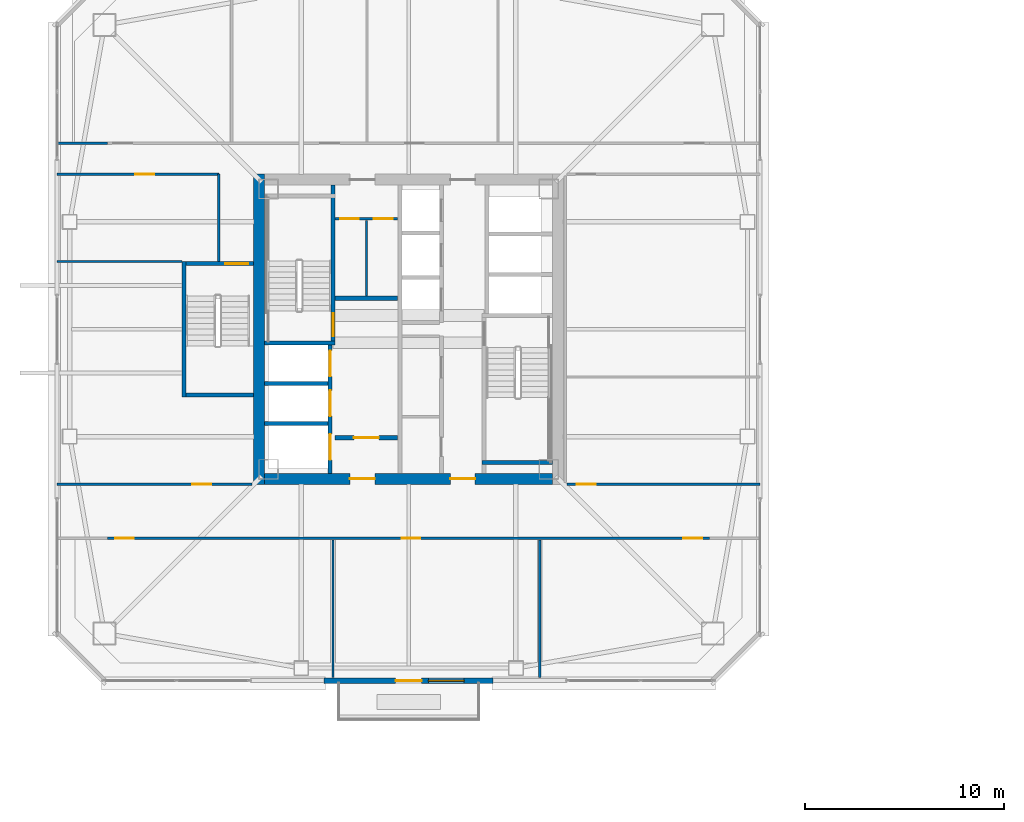
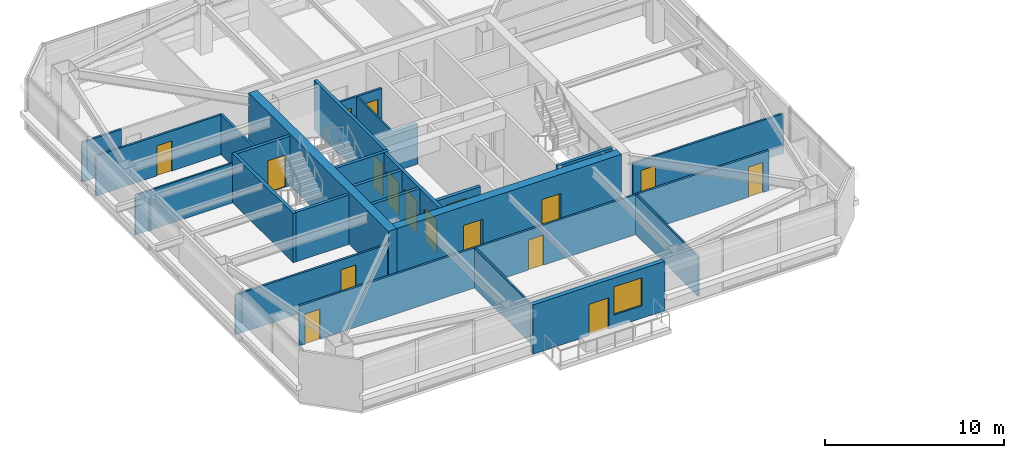
# One storey, part 34 of 44: 25 walls, 17 doors, 1 window, 18 openings.
"""IFC4 building model written with IfcOpenShell, lengths in metres."""

from ifc_helpers import new_model, si_unit, direction, frame, frame_2d, origin, place, context, subcontext, project, spatial, rectangle, extrude, material, layer, layer_set, type_object, element, fill, save


model = new_model("IFC4")

# Units and contexts
model_context = context("Model", 3, precision=1e-05, world=origin(), true_north=direction((0.0, 1.0)))
body_context = subcontext(model_context, "Body", "Model", "MODEL_VIEW")
ifc_project = project(units=[si_unit("LENGTHUNIT", "METRE"), si_unit("AREAUNIT", "SQUARE_METRE"), si_unit("VOLUMEUNIT", "CUBIC_METRE"), si_unit("PLANEANGLEUNIT", "RADIAN"), si_unit("MASSUNIT", "GRAM", prefix="KILO")], contexts=[model_context])

# Site, building, storey
site_placement = place(None, origin())
site = spatial("IfcSite", under=ifc_project, at=site_placement, CompositionType="ELEMENT")
building_placement = place(site_placement, origin())
building = spatial("IfcBuilding", under=site, at=building_placement, Name="Tashvorn Skyway Center", CompositionType="ELEMENT")
storey_placement = place(building_placement, frame((0.0, 0.0, 181.85009765625)))
storey = spatial("IfcBuildingStorey", under=building, at=storey_placement, Name="L49", CompositionType="ELEMENT", Elevation=181.85009765625)

# Wall
ifc_material_1 = material(Name="Concrete C60/75", Category="concrete")
ifc_layer_1 = layer(ifc_material_1, 0.550048828125)
ifc_layer_set_1 = layer_set([ifc_layer_1], Name="Concrete C60/75")
wall_type_1 = type_object("IfcWallType", Name="WALL-CORE-550", PredefinedType="SHEAR", material=ifc_layer_set_1)
wall_1_placement = place(storey_placement, frame((34.47509765625, 24.199951171875, 0.0), z_axis=(0.0, 0.0, 1.0), x_axis=(0.0, 1.0, 0.0)))
element("IfcWall", 1, at=wall_1_placement, inside=storey, type_object=wall_type_1, Name="Tower 1 L49 West Core Shear Wall", PredefinedType="SHEAR", context=body_context, shape_type="SweptSolid", body=[
    extrude(rectangle(XDim=15.60009765625, YDim=0.550048828125, at=frame_2d((7.800048828125, 0.0))), origin(), (0.0, 0.0, 1.0), 3.5498046875),
])

# Wall, openings, doors
wall_2_placement = place(storey_placement, frame((49.25, 24.47509765625, 0.0), z_axis=(0.0, 0.0, 1.0), x_axis=(-1.0, 0.0, 0.0)))
wall_2 = element("IfcWall", 2, at=wall_2_placement, inside=storey, type_object=wall_type_1, Name="Tower 1 L49 South Core Shear Wall", PredefinedType="SHEAR", context=body_context, shape_type="SweptSolid", body=[
    extrude(rectangle(XDim=14.5, YDim=0.550048828125, at=frame_2d((7.25, 0.0))), origin(), (0.0, 0.0, 1.0), 3.5498046875),
])
opening_1_placement = place(wall_2_placement, frame((8.949951171875, 0.0, 0.0)))
opening_1 = element("IfcOpeningElement", 3, at=opening_1_placement, cuts=wall_2, Name="Opening D-FFL-1250", PredefinedType="OPENING", context=body_context, shape_type="SweptSolid", body=[
    extrude(rectangle(XDim=1.25, YDim=2.25, at=frame_2d((0.625, 1.125))), frame((0.0, 0.284912109375, 0.0), z_axis=(0.0, -1.0, 0.0), x_axis=(1.0, 0.0, 0.0)), (0.0, 0.0, 1.0), 0.570068359375),
])
opening_2_placement = place(wall_2_placement, frame((3.89990234375, 0.0, 0.0)))
opening_2 = element("IfcOpeningElement", 4, at=opening_2_placement, cuts=wall_2, Name="Opening D-FFL-1250", PredefinedType="OPENING", context=body_context, shape_type="SweptSolid", body=[
    extrude(rectangle(XDim=1.25, YDim=2.25, at=frame_2d((0.625, 1.125))), frame((0.0, 0.284912109375, 0.0), z_axis=(0.0, -1.0, 0.0), x_axis=(1.0, 0.0, 0.0)), (0.0, 0.0, 1.0), 0.570068359375),
])
ifc_material_2 = material(Name="Hollow galvanized steel fire door assembly", Category="steel")
door_type_1 = type_object("IfcDoorType", Name="DOOR-FFL-1250", OperationType="NOTDEFINED", PredefinedType="DOOR", material=ifc_material_2)
door_1_placement = place(opening_1_placement, origin())
door_1 = element("IfcDoor", 5, at=door_1_placement, inside=storey, type_object=door_type_1, Name="Tower 1 L49 Core South Firefighting Exit Door", OperationType="SINGLE_SWING_LEFT", OverallHeight=2.25, OverallWidth=1.25, PredefinedType="DOOR", context=body_context, shape_type="SweptSolid", body=[
    extrude(rectangle(XDim=1.25, YDim=2.25, at=frame_2d((0.625, 1.125))), frame((0.0, 0.02490234375, 0.0), z_axis=(0.0, -1.0, 0.0), x_axis=(1.0, 0.0, 0.0)), (0.0, 0.0, 1.0), 0.050048828125),
])
fill(opening_1, door_1)
door_2_placement = place(opening_2_placement, origin())
door_2 = element("IfcDoor", 6, at=door_2_placement, inside=storey, type_object=door_type_1, Name="Tower 1 L49 Core South Lift Lobby Door", OperationType="SINGLE_SWING_RIGHT", OverallHeight=2.25, OverallWidth=1.25, PredefinedType="DOOR", context=body_context, shape_type="SweptSolid", body=[
    extrude(rectangle(XDim=1.25, YDim=2.25, at=frame_2d((0.625, 1.125))), frame((0.0, 0.02490234375, 0.0), z_axis=(0.0, -1.0, 0.0), x_axis=(1.0, 0.0, 0.0)), (0.0, 0.0, 1.0), 0.050048828125),
])
fill(opening_2, door_2)

# Wall, openings, door, window
ifc_material_3 = material(Name="Precast concrete C40/50", Category="concrete")
ifc_layer_2 = layer(ifc_material_3, 0.280029296875)
ifc_layer_set_2 = layer_set([ifc_layer_2], Name="Precast concrete C40/50")
wall_type_2 = type_object("IfcWallType", Name="WALL-EXT-280", PredefinedType="SOLIDWALL", material=ifc_layer_set_2)
wall_3_placement = place(storey_placement, frame((46.25, 14.320068359375, 0.0), z_axis=(0.0, 0.0, 1.0), x_axis=(-1.0, 0.0, 0.0)))
wall_3 = element("IfcWall", 7, at=wall_3_placement, inside=storey, type_object=wall_type_2, Name="Tower 1 L49 South Terrace Portal Wall", PredefinedType="SOLIDWALL", context=body_context, shape_type="SweptSolid", body=[
    extrude(rectangle(XDim=8.5, YDim=0.280029296875, at=frame_2d((4.25, 0.0))), origin(), (0.0, 0.0, 1.0), 3.369873046875),
])
opening_3_placement = place(wall_3_placement, frame((3.60009765625, 0.0, 0.0)))
opening_3 = element("IfcOpeningElement", 8, at=opening_3_placement, cuts=wall_3, Name="Opening D-TER-1300", PredefinedType="OPENING", context=body_context, shape_type="SweptSolid", body=[
    extrude(rectangle(XDim=1.300048828125, YDim=2.14990234375, at=frame_2d((0.64990234375, 1.074951171875))), frame((0.0, 0.14990234375, 0.0), z_axis=(0.0, -1.0, 0.0), x_axis=(1.0, 0.0, 0.0)), (0.0, 0.0, 1.0), 0.300048828125),
])
opening_4_placement = place(wall_3_placement, frame((1.4599609375, 0.0, 0.85009765625)))
opening_4 = element("IfcOpeningElement", 9, at=opening_4_placement, cuts=wall_3, Name="Opening WIN-1800", PredefinedType="OPENING", context=body_context, shape_type="SweptSolid", body=[
    extrude(rectangle(XDim=1.800048828125, YDim=1.919921875, at=frame_2d((0.89990234375, 0.9599609375))), frame((0.0, 0.14990234375, 0.0), z_axis=(0.0, -1.0, 0.0), x_axis=(1.0, 0.0, 0.0)), (0.0, 0.0, 1.0), 0.300048828125),
])
ifc_material_4 = material(Name="Thermally broken bronze-anodized aluminium 6063-T6", Category="aluminium")
door_type_2 = type_object("IfcDoorType", Name="DOOR-TERR-1300", OperationType="NOTDEFINED", PredefinedType="DOOR", material=ifc_material_4)
door_3_placement = place(opening_3_placement, origin())
door_3 = element("IfcDoor", 10, at=door_3_placement, inside=storey, type_object=door_type_2, Name="Tower 1 L49 Terrace Access Door", OperationType="SINGLE_SWING_LEFT", OverallHeight=2.14990234375, OverallWidth=1.300048828125, PredefinedType="DOOR", context=body_context, shape_type="SweptSolid", body=[
    extrude(rectangle(XDim=1.300048828125, YDim=2.14990234375, at=frame_2d((0.64990234375, 1.074951171875))), frame((0.0, 0.02490234375, 0.0), z_axis=(0.0, -1.0, 0.0), x_axis=(1.0, 0.0, 0.0)), (0.0, 0.0, 1.0), 0.050048828125),
])
fill(opening_3, door_3)
ifc_material_5 = material(Name="Low-E solar-control double insulating safety glass", Category="glass")
window_type = type_object("IfcWindowType", Name="WIN-TERR-1800", PartitioningType="SINGLE_PANEL", PredefinedType="WINDOW", material=ifc_material_5)
window_placement = place(opening_4_placement, origin())
window = element("IfcWindow", 11, at=window_placement, inside=storey, type_object=window_type, Name="Tower 1 L49 Terrace Window", OverallHeight=1.919921875, OverallWidth=1.800048828125, PartitioningType="SINGLE_PANEL", PredefinedType="WINDOW", context=body_context, shape_type="SweptSolid", body=[
    extrude(rectangle(XDim=1.800048828125, YDim=1.919921875, at=frame_2d((0.89990234375, 0.9599609375))), frame((0.0, 0.030029296875, 0.0), z_axis=(0.0, -1.0, 0.0), x_axis=(1.0, 0.0, 0.0)), (0.0, 0.0, 1.0), 0.06005859375),
])
fill(opening_4, window)

# Wall
ifc_material_6 = material(Name="Concrete C40/50", Category="concrete")
ifc_layer_3 = layer(ifc_material_6, 0.219970703125)
ifc_layer_set_3 = layer_set([ifc_layer_3], Name="Concrete C40/50")
wall_type_3 = type_object("IfcWallType", Name="WALL-FFL-220", PredefinedType="SOLIDWALL", material=ifc_layer_set_3)
wall_4_placement = place(storey_placement, frame((38.300048828125, 33.56005859375, 0.0), z_axis=(0.0, 0.0, 1.0), x_axis=(1.0, 0.0, 0.0)))
element("IfcWall", 12, at=wall_4_placement, inside=storey, type_object=wall_type_3, Name="Tower 1 L49 Firefighting Lobby North Wall", PredefinedType="SOLIDWALL", context=body_context, shape_type="SweptSolid", body=[
    extrude(rectangle(XDim=3.14990234375, YDim=0.219970703125, at=frame_2d((1.574951171875, 0.0))), origin(), (0.0, 0.0, 1.0), 2.722900390625),
])

# Wall, opening, door
wall_5_placement = place(storey_placement, frame((38.300048828125, 26.5400390625, 0.0), z_axis=(0.0, 0.0, 1.0), x_axis=(1.0, 0.0, 0.0)))
wall_5 = element("IfcWall", 13, at=wall_5_placement, inside=storey, type_object=wall_type_3, Name="Tower 1 L49 Firefighting Lobby South Wall", PredefinedType="SOLIDWALL", context=body_context, shape_type="SweptSolid", body=[
    extrude(rectangle(XDim=3.14990234375, YDim=0.219970703125, at=frame_2d((1.574951171875, 0.0))), origin(), (0.0, 0.0, 1.0), 2.722900390625),
])
opening_5_placement = place(wall_5_placement, frame((0.949951171875, 0.0, 0.0)))
opening_5 = element("IfcOpeningElement", 14, at=opening_5_placement, cuts=wall_5, Name="Opening D-FFL-1250", PredefinedType="OPENING", context=body_context, shape_type="SweptSolid", body=[
    extrude(rectangle(XDim=1.25, YDim=2.25, at=frame_2d((0.625, 1.125))), frame((0.0, 0.119873046875, 0.0), z_axis=(0.0, -1.0, 0.0), x_axis=(1.0, 0.0, 0.0)), (0.0, 0.0, 1.0), 0.239990234375),
])
door_4_placement = place(opening_5_placement, origin())
door_4 = element("IfcDoor", 15, at=door_4_placement, inside=storey, type_object=door_type_1, Name="Tower 1 L49 Firefighting Lobby Egress Door", OperationType="SINGLE_SWING_LEFT", OverallHeight=2.25, OverallWidth=1.25, PredefinedType="DOOR", context=body_context, shape_type="SweptSolid", body=[
    extrude(rectangle(XDim=1.25, YDim=2.25, at=frame_2d((0.625, 1.125))), frame((0.0, 0.02490234375, 0.0), z_axis=(0.0, -1.0, 0.0), x_axis=(1.0, 0.0, 0.0)), (0.0, 0.0, 1.0), 0.050048828125),
])
fill(opening_5, door_4)

# Walls
ifc_material_7 = material(Name="Gypsum board on cold-formed steel stud framing", Category="steel")
ifc_layer_4 = layer(ifc_material_7, 0.110107421875)
ifc_layer_set_4 = layer_set([ifc_layer_4], Name="Gypsum board on cold-formed steel stud framing")
wall_type_4 = type_object("IfcWallType", Name="WALL-PART-110", PredefinedType="PARTITIONING", material=ifc_layer_set_4)
for number, where, z_axis, x_axis, name in (
    (16, (38.199951171875, 14.469970703125, 0.0), (0.0, 0.0, 1.0), (0.0, 1.0, 0.0), "Tower 1 L49 South Suite Partition 1"),
    (17, (48.60009765625, 14.469970703125, 0.0), (0.0, 0.0, 1.0), (0.0, 1.0, 0.0), "Tower 1 L49 South Suite Partition 2"),
):
    element("IfcWall", number, at=place(storey_placement, frame(where, z_axis=z_axis, x_axis=x_axis)), inside=storey, type_object=wall_type_4, Name=name, PredefinedType="PARTITIONING", context=body_context, shape_type="SweptSolid", body=[
        extrude(rectangle(XDim=6.929931640625, YDim=0.110107421875, at=frame_2d((3.46484375, 0.0))), origin(), (0.0, 0.0, 1.0), 2.722900390625),
    ])
wall_6_placement = place(storey_placement, frame((30.60009765625, 35.39990234375, 0.0), z_axis=(0.0, 0.0, 1.0), x_axis=(-1.0, 0.0, 0.0)))
element("IfcWall", 18, at=wall_6_placement, inside=storey, type_object=wall_type_4, Name="Tower 1 L49 West Suite Partition 1", PredefinedType="PARTITIONING", context=body_context, shape_type="SweptSolid", body=[
    extrude(rectangle(XDim=6.280029296875, YDim=0.110107421875, at=frame_2d((3.14013671875, 0.0))), origin(), (0.0, 0.0, 1.0), 2.722900390625),
])
ifc_layer_5 = layer(ifc_material_7, 0.135009765625)
ifc_layer_set_5 = layer_set([ifc_layer_5], Name="Gypsum board on cold-formed steel stud framing")
wall_type_5 = type_object("IfcWallType", Name="WALL-PART-135", PredefinedType="PARTITIONING", material=ifc_layer_set_5)
wall_7_placement = place(storey_placement, frame((32.449951171875, 35.39990234375, 0.0), z_axis=(0.0, 0.0, 1.0), x_axis=(0.0, 1.0, 0.0)))
element("IfcWall", 19, at=wall_7_placement, inside=storey, type_object=wall_type_5, Name="Tower 1 L49 Stair 3 Access Corridor Wall", PredefinedType="PARTITIONING", context=body_context, shape_type="SweptSolid", body=[
    extrude(rectangle(XDim=4.400146484375, YDim=0.135009765625, at=frame_2d((2.2001953125, 0.0))), origin(), (0.0, 0.0, 1.0), 2.722900390625),
])
wall_8_placement = place(storey_placement, frame((24.320068359375, 41.35009765625, 0.0), z_axis=(0.0, 0.0, 1.0), x_axis=(1.0, 0.0, 0.0)))
element("IfcWall", 20, at=wall_8_placement, inside=storey, type_object=wall_type_5, Name="Tower 1 L49 North-West Suite South Wall", PredefinedType="PARTITIONING", context=body_context, shape_type="SweptSolid", body=[
    extrude(rectangle(XDim=2.530029296875, YDim=0.135009765625, at=frame_2d((1.26513671875, 0.0))), origin(), (0.0, 0.0, 1.0), 2.722900390625),
])

# Wall, openings, doors
wall_9_placement = place(storey_placement, frame((57.14990234375, 21.47998046875, 0.0), z_axis=(0.0, 0.0, 1.0), x_axis=(-1.0, 0.0, 0.0)))
wall_9 = element("IfcWall", 21, at=wall_9_placement, inside=storey, type_object=wall_type_5, Name="Tower 1 L49 South Suite Wall", PredefinedType="PARTITIONING", context=body_context, shape_type="SweptSolid", body=[
    extrude(rectangle(XDim=30.2998046875, YDim=0.135009765625, at=frame_2d((15.14990234375, 0.0))), origin(), (0.0, 0.0, 1.0), 2.722900390625),
])
opening_6_placement = place(wall_9_placement, frame((28.969970703125, 0.0, 0.0)))
opening_6 = element("IfcOpeningElement", 22, at=opening_6_placement, cuts=wall_9, Name="Opening D-INT-950", PredefinedType="OPENING", context=body_context, shape_type="SweptSolid", body=[
    extrude(rectangle(XDim=0.949951171875, YDim=2.050048828125, at=frame_2d((0.47509765625, 1.02490234375))), frame((0.0, 0.077392578125, 0.0), z_axis=(0.0, -1.0, 0.0), x_axis=(1.0, 0.0, 0.0)), (0.0, 0.0, 1.0), 0.155029296875),
])
opening_7_placement = place(wall_9_placement, frame((14.552978515625, 0.0, 0.0)))
opening_7 = element("IfcOpeningElement", 23, at=opening_7_placement, cuts=wall_9, Name="Opening D-INT-950", PredefinedType="OPENING", context=body_context, shape_type="SweptSolid", body=[
    extrude(rectangle(XDim=0.949951171875, YDim=2.050048828125, at=frame_2d((0.47509765625, 1.02490234375))), frame((0.0, 0.077392578125, 0.0), z_axis=(0.0, -1.0, 0.0), x_axis=(1.0, 0.0, 0.0)), (0.0, 0.0, 1.0), 0.155029296875),
])
opening_8_placement = place(wall_9_placement, frame((0.3798828125, 0.0, 0.0)))
opening_8 = element("IfcOpeningElement", 24, at=opening_8_placement, cuts=wall_9, Name="Opening D-INT-950", PredefinedType="OPENING", context=body_context, shape_type="SweptSolid", body=[
    extrude(rectangle(XDim=0.949951171875, YDim=2.050048828125, at=frame_2d((0.47509765625, 1.02490234375))), frame((0.0, 0.077392578125, 0.0), z_axis=(0.0, -1.0, 0.0), x_axis=(1.0, 0.0, 0.0)), (0.0, 0.0, 1.0), 0.155029296875),
])
ifc_material_8 = material(Name="Solid-core architectural oak veneer door")
door_type_3 = type_object("IfcDoorType", Name="DOOR-INT-950", OperationType="NOTDEFINED", PredefinedType="DOOR", material=ifc_material_8)
door_5_placement = place(opening_6_placement, origin())
door_5 = element("IfcDoor", 25, at=door_5_placement, inside=storey, type_object=door_type_3, Name="Tower 1 L49 Conference Room Door", OperationType="SINGLE_SWING_RIGHT", OverallHeight=2.050048828125, OverallWidth=0.949951171875, PredefinedType="DOOR", context=body_context, shape_type="SweptSolid", body=[
    extrude(rectangle(XDim=0.949951171875, YDim=2.050048828125, at=frame_2d((0.47509765625, 1.02490234375))), frame((0.0, 0.02490234375, 0.0), z_axis=(0.0, -1.0, 0.0), x_axis=(1.0, 0.0, 0.0)), (0.0, 0.0, 1.0), 0.050048828125),
])
fill(opening_6, door_5)
door_6_placement = place(opening_7_placement, origin())
door_6 = element("IfcDoor", 26, at=door_6_placement, inside=storey, type_object=door_type_3, Name="Tower 1 L49 Design Studio Door", OperationType="SINGLE_SWING_LEFT", OverallHeight=2.050048828125, OverallWidth=0.949951171875, PredefinedType="DOOR", context=body_context, shape_type="SweptSolid", body=[
    extrude(rectangle(XDim=0.949951171875, YDim=2.050048828125, at=frame_2d((0.47509765625, 1.02490234375))), frame((0.0, 0.02490234375, 0.0), z_axis=(0.0, -1.0, 0.0), x_axis=(1.0, 0.0, 0.0)), (0.0, 0.0, 1.0), 0.050048828125),
])
fill(opening_7, door_6)
door_7_placement = place(opening_8_placement, origin())
door_7 = element("IfcDoor", 27, at=door_7_placement, inside=storey, type_object=door_type_3, Name="Tower 1 L49 Design Studio Door", OperationType="SINGLE_SWING_RIGHT", OverallHeight=2.050048828125, OverallWidth=0.949951171875, PredefinedType="DOOR", context=body_context, shape_type="SweptSolid", body=[
    extrude(rectangle(XDim=0.949951171875, YDim=2.050048828125, at=frame_2d((0.47509765625, 1.02490234375))), frame((0.0, 0.02490234375, 0.0), z_axis=(0.0, -1.0, 0.0), x_axis=(1.0, 0.0, 0.0)), (0.0, 0.0, 1.0), 0.050048828125),
])
fill(opening_8, door_7)

# Wall, opening, door
wall_10_placement = place(storey_placement, frame((49.9599609375, 24.199951171875, 0.0), z_axis=(0.0, 0.0, 1.0), x_axis=(1.0, 0.0, 0.0)))
wall_10 = element("IfcWall", 28, at=wall_10_placement, inside=storey, type_object=wall_type_5, Name="Tower 1 L49 East Suite South Wall", PredefinedType="PARTITIONING", context=body_context, shape_type="SweptSolid", body=[
    extrude(rectangle(XDim=9.719970703125, YDim=0.135009765625, at=frame_2d((4.85986328125, 0.0))), origin(), (0.0, 0.0, 1.0), 2.722900390625),
])
opening_9_placement = place(wall_10_placement, frame((0.5, 0.0, 0.0)))
opening_9 = element("IfcOpeningElement", 29, at=opening_9_placement, cuts=wall_10, Name="Opening D-INT-950", PredefinedType="OPENING", context=body_context, shape_type="SweptSolid", body=[
    extrude(rectangle(XDim=0.949951171875, YDim=2.050048828125, at=frame_2d((0.47509765625, 1.02490234375))), frame((0.0, 0.077392578125, 0.0), z_axis=(0.0, -1.0, 0.0), x_axis=(1.0, 0.0, 0.0)), (0.0, 0.0, 1.0), 0.155029296875),
])
door_8_placement = place(opening_9_placement, origin())
door_8 = element("IfcDoor", 30, at=door_8_placement, inside=storey, type_object=door_type_3, Name="Tower 1 L49 Public Restroom Door", OperationType="SINGLE_SWING_RIGHT", OverallHeight=2.050048828125, OverallWidth=0.949951171875, PredefinedType="DOOR", context=body_context, shape_type="SweptSolid", body=[
    extrude(rectangle(XDim=0.949951171875, YDim=2.050048828125, at=frame_2d((0.47509765625, 1.02490234375))), frame((0.0, 0.02490234375, 0.0), z_axis=(0.0, -1.0, 0.0), x_axis=(1.0, 0.0, 0.0)), (0.0, 0.0, 1.0), 0.050048828125),
])
fill(opening_9, door_8)

wall_11_placement = place(storey_placement, frame((32.449951171875, 39.800048828125, 0.0), z_axis=(0.0, 0.0, 1.0), x_axis=(-1.0, 0.0, 0.0)))
wall_11 = element("IfcWall", 31, at=wall_11_placement, inside=storey, type_object=wall_type_5, Name="Tower 1 L49 West Suite North Wall", PredefinedType="PARTITIONING", context=body_context, shape_type="SweptSolid", body=[
    extrude(rectangle(XDim=8.1298828125, YDim=0.135009765625, at=frame_2d((4.06494140625, 0.0))), origin(), (0.0, 0.0, 1.0), 2.722900390625),
])
opening_10_placement = place(wall_11_placement, frame((3.239990234375, 0.0, 0.0)))
opening_10 = element("IfcOpeningElement", 32, at=opening_10_placement, cuts=wall_11, Name="Opening D-INT-950", PredefinedType="OPENING", context=body_context, shape_type="SweptSolid", body=[
    extrude(rectangle(XDim=0.949951171875, YDim=2.050048828125, at=frame_2d((0.47509765625, 1.02490234375))), frame((0.0, 0.077392578125, 0.0), z_axis=(0.0, -1.0, 0.0), x_axis=(1.0, 0.0, 0.0)), (0.0, 0.0, 1.0), 0.155029296875),
])
door_9_placement = place(opening_10_placement, origin())
door_9 = element("IfcDoor", 33, at=door_9_placement, inside=storey, type_object=door_type_3, Name="Tower 1 L49 Catering Pantry Door", OperationType="SINGLE_SWING_LEFT", OverallHeight=2.050048828125, OverallWidth=0.949951171875, PredefinedType="DOOR", context=body_context, shape_type="SweptSolid", body=[
    extrude(rectangle(XDim=0.949951171875, YDim=2.050048828125, at=frame_2d((0.47509765625, 1.02490234375))), frame((0.0, 0.02490234375, 0.0), z_axis=(0.0, -1.0, 0.0), x_axis=(1.0, 0.0, 0.0)), (0.0, 0.0, 1.0), 0.050048828125),
])
fill(opening_10, door_9)

wall_12_placement = place(storey_placement, frame((24.320068359375, 24.199951171875, 0.0), z_axis=(0.0, 0.0, 1.0), x_axis=(1.0, 0.0, 0.0)))
wall_12 = element("IfcWall", 34, at=wall_12_placement, inside=storey, type_object=wall_type_5, Name="Tower 1 L49 West Suite South Wall", PredefinedType="PARTITIONING", context=body_context, shape_type="SweptSolid", body=[
    extrude(rectangle(XDim=9.800048828125, YDim=0.135009765625, at=frame_2d((4.89990234375, 0.0))), origin(), (0.0, 0.0, 1.0), 2.722900390625),
])
opening_11_placement = place(wall_12_placement, frame((6.804931640625, 0.0, 0.0)))
opening_11 = element("IfcOpeningElement", 35, at=opening_11_placement, cuts=wall_12, Name="Opening D-INT-950", PredefinedType="OPENING", context=body_context, shape_type="SweptSolid", body=[
    extrude(rectangle(XDim=0.949951171875, YDim=2.050048828125, at=frame_2d((0.47509765625, 1.02490234375))), frame((0.0, 0.077392578125, 0.0), z_axis=(0.0, -1.0, 0.0), x_axis=(1.0, 0.0, 0.0)), (0.0, 0.0, 1.0), 0.155029296875),
])
door_10_placement = place(opening_11_placement, origin())
door_10 = element("IfcDoor", 36, at=door_10_placement, inside=storey, type_object=door_type_3, Name="Tower 1 L49 Public Restroom Door", OperationType="SINGLE_SWING_RIGHT", OverallHeight=2.050048828125, OverallWidth=0.949951171875, PredefinedType="DOOR", context=body_context, shape_type="SweptSolid", body=[
    extrude(rectangle(XDim=0.949951171875, YDim=2.050048828125, at=frame_2d((0.47509765625, 1.02490234375))), frame((0.0, 0.02490234375, 0.0), z_axis=(0.0, -1.0, 0.0), x_axis=(1.0, 0.0, 0.0)), (0.0, 0.0, 1.0), 0.050048828125),
])
fill(opening_11, door_10)

# Wall
ifc_layer_6 = layer(ifc_material_7, 0.110107421875)
ifc_layer_set_6 = layer_set([ifc_layer_6], Name="Gypsum board on cold-formed steel stud framing")
wall_type_6 = type_object("IfcWallType", Name="WALL-RATED-110", PredefinedType="PARTITIONING", material=ifc_layer_set_6)
wall_13_placement = place(storey_placement, frame((39.8798828125, 33.679931640625, 0.0), z_axis=(0.0, 0.0, 1.0), x_axis=(0.0, 1.0, 0.0)))
element("IfcWall", 37, at=wall_13_placement, inside=storey, type_object=wall_type_6, Name="Tower 1 L49 Core Split Partition", PredefinedType="PARTITIONING", context=body_context, shape_type="SweptSolid", body=[
    extrude(rectangle(XDim=3.800048828125, YDim=0.110107421875, at=frame_2d((1.89990234375, 0.0))), origin(), (0.0, 0.0, 1.0), 2.722900390625),
])

# Wall, openings, doors
ifc_layer_7 = layer(ifc_material_7, 0.135009765625)
ifc_layer_set_7 = layer_set([ifc_layer_7], Name="Gypsum board on cold-formed steel stud framing")
wall_type_7 = type_object("IfcWallType", Name="WALL-RATED-135", PredefinedType="PARTITIONING", material=ifc_layer_set_7)
wall_14_placement = place(storey_placement, frame((38.300048828125, 37.550048828125, 0.0), z_axis=(0.0, 0.0, 1.0), x_axis=(1.0, 0.0, 0.0)))
wall_14 = element("IfcWall", 38, at=wall_14_placement, inside=storey, type_object=wall_type_7, Name="Tower 1 L49 Core Service Lobby Wall", PredefinedType="PARTITIONING", context=body_context, shape_type="SweptSolid", body=[
    extrude(rectangle(XDim=3.14990234375, YDim=0.135009765625, at=frame_2d((1.574951171875, 0.0))), origin(), (0.0, 0.0, 1.0), 2.722900390625),
])
opening_12_placement = place(wall_14_placement, frame((0.25, 0.0, 0.0)))
opening_12 = element("IfcOpeningElement", 39, at=opening_12_placement, cuts=wall_14, Name="Opening D-RT-950", PredefinedType="OPENING", context=body_context, shape_type="SweptSolid", body=[
    extrude(rectangle(XDim=0.949951171875, YDim=2.050048828125, at=frame_2d((0.47509765625, 1.02490234375))), frame((0.0, 0.077392578125, 0.0), z_axis=(0.0, -1.0, 0.0), x_axis=(1.0, 0.0, 0.0)), (0.0, 0.0, 1.0), 0.155029296875),
])
opening_13_placement = place(wall_14_placement, frame((1.949951171875, 0.0, 0.0)))
opening_13 = element("IfcOpeningElement", 40, at=opening_13_placement, cuts=wall_14, Name="Opening D-RT-950", PredefinedType="OPENING", context=body_context, shape_type="SweptSolid", body=[
    extrude(rectangle(XDim=0.949951171875, YDim=2.050048828125, at=frame_2d((0.47509765625, 1.02490234375))), frame((0.0, 0.077392578125, 0.0), z_axis=(0.0, -1.0, 0.0), x_axis=(1.0, 0.0, 0.0)), (0.0, 0.0, 1.0), 0.155029296875),
])
door_type_4 = type_object("IfcDoorType", Name="DOOR-RATED-950", OperationType="NOTDEFINED", PredefinedType="DOOR", material=ifc_material_2)
door_11_placement = place(opening_12_placement, origin())
door_11 = element("IfcDoor", 41, at=door_11_placement, inside=storey, type_object=door_type_4, Name="Tower 1 L49 Core Accessible WC Door", OperationType="SINGLE_SWING_LEFT", OverallHeight=2.050048828125, OverallWidth=0.949951171875, PredefinedType="DOOR", context=body_context, shape_type="SweptSolid", body=[
    extrude(rectangle(XDim=0.949951171875, YDim=2.050048828125, at=frame_2d((0.47509765625, 1.02490234375))), frame((0.0, 0.02490234375, 0.0), z_axis=(0.0, -1.0, 0.0), x_axis=(1.0, 0.0, 0.0)), (0.0, 0.0, 1.0), 0.050048828125),
])
fill(opening_12, door_11)
door_12_placement = place(opening_13_placement, origin())
door_12 = element("IfcDoor", 42, at=door_12_placement, inside=storey, type_object=door_type_4, Name="Tower 1 L49 Core Cleaner Store Door", OperationType="SINGLE_SWING_RIGHT", OverallHeight=2.050048828125, OverallWidth=0.949951171875, PredefinedType="DOOR", context=body_context, shape_type="SweptSolid", body=[
    extrude(rectangle(XDim=0.949951171875, YDim=2.050048828125, at=frame_2d((0.47509765625, 1.02490234375))), frame((0.0, 0.02490234375, 0.0), z_axis=(0.0, -1.0, 0.0), x_axis=(1.0, 0.0, 0.0)), (0.0, 0.0, 1.0), 0.050048828125),
])
fill(opening_13, door_12)

# Walls
ifc_layer_8 = layer(ifc_material_6, 0.199951171875)
ifc_layer_set_8 = layer_set([ifc_layer_8], Name="Concrete C40/50")
wall_type_8 = type_object("IfcWallType", Name="WALL-SHAFT-200", PredefinedType="SOLIDWALL", material=ifc_layer_set_8)
for number, where, z_axis, x_axis, name in (
    (43, (34.75, 27.25, 0.0), (0.0, 0.0, 1.0), (1.0, 0.0, 0.0), "Tower 1 L49 FSAE Shaft Divider"),
    (44, (34.75, 29.280029296875, 0.0), (0.0, 0.0, 1.0), (1.0, 0.0, 0.0), "Tower 1 L49 FSAE Shaft Divider"),
):
    element("IfcWall", number, at=place(storey_placement, frame(where, z_axis=z_axis, x_axis=x_axis)), inside=storey, type_object=wall_type_8, Name=name, PredefinedType="SOLIDWALL", context=body_context, shape_type="SweptSolid", body=[
        extrude(rectangle(XDim=3.199951171875, YDim=0.199951171875, at=frame_2d((1.60009765625, 0.0))), origin(), (0.0, 0.0, 1.0), 3.369873046875),
    ])

# Wall, opening, door
ifc_layer_9 = layer(ifc_material_6, 0.199951171875)
ifc_layer_set_9 = layer_set([ifc_layer_9], Name="Concrete C40/50")
wall_type_9 = type_object("IfcWallType", Name="WALL-STSHF-200", PredefinedType="SHEAR", material=ifc_layer_set_9)
wall_15_placement = place(storey_placement, frame((38.199951171875, 31.199951171875, 0.0), z_axis=(0.0, 0.0, 1.0), x_axis=(0.0, 1.0, 0.0)))
wall_15 = element("IfcWall", 45, at=wall_15_placement, inside=storey, type_object=wall_type_9, Name="Tower 1 L49 Stair 1 Enclosure Wall", PredefinedType="SHEAR", context=body_context, shape_type="SweptSolid", body=[
    extrude(rectangle(XDim=8.050048828125, YDim=0.199951171875, at=frame_2d((4.02490234375, 0.0))), origin(), (0.0, 0.0, 1.0), 3.369873046875),
])
opening_14_placement = place(wall_15_placement, frame((0.449951171875, 0.0, 0.0)))
opening_14 = element("IfcOpeningElement", 46, at=opening_14_placement, cuts=wall_15, Name="Opening D-ST-1150", PredefinedType="OPENING", context=body_context, shape_type="SweptSolid", body=[
    extrude(rectangle(XDim=1.14990234375, YDim=2.199951171875, at=frame_2d((0.574951171875, 1.10009765625))), frame((0.0, 0.10986328125, 0.0), z_axis=(0.0, -1.0, 0.0), x_axis=(1.0, 0.0, 0.0)), (0.0, 0.0, 1.0), 0.219970703125),
])
door_type_5 = type_object("IfcDoorType", Name="DOOR-STAIR-1150", OperationType="NOTDEFINED", PredefinedType="DOOR", material=ifc_material_2)
door_13_placement = place(opening_14_placement, origin())
door_13 = element("IfcDoor", 47, at=door_13_placement, inside=storey, type_object=door_type_5, Name="Tower 1 L49 Exit Stair 1 Door", OperationType="SINGLE_SWING_RIGHT", OverallHeight=2.199951171875, OverallWidth=1.14990234375, PredefinedType="DOOR", context=body_context, shape_type="SweptSolid", body=[
    extrude(rectangle(XDim=1.14990234375, YDim=2.199951171875, at=frame_2d((0.574951171875, 1.10009765625))), frame((0.0, 0.02490234375, 0.0), z_axis=(0.0, -1.0, 0.0), x_axis=(1.0, 0.0, 0.0)), (0.0, 0.0, 1.0), 0.050048828125),
])
fill(opening_14, door_13)

# Walls
for number, where, z_axis, x_axis, name in (
    (48, (34.75, 31.300048828125, 0.0), (0.0, 0.0, 1.0), (1.0, 0.0, 0.0), "Tower 1 L49 Stair 1 South Wall"),
    (49, (45.699951171875, 25.300048828125, 0.0), (0.0, 0.0, 1.0), (1.0, 0.0, 0.0), "Tower 1 L49 Stair 2 South Wall"),
):
    element("IfcWall", number, at=place(storey_placement, frame(where, z_axis=z_axis, x_axis=x_axis)), inside=storey, type_object=wall_type_9, Name=name, PredefinedType="SHEAR", context=body_context, shape_type="SweptSolid", body=[
        extrude(rectangle(XDim=3.550048828125, YDim=0.199951171875, at=frame_2d((1.77490234375, 0.0))), origin(), (0.0, 0.0, 1.0), 3.369873046875),
    ])

# Wall, openings, doors
wall_16_placement = place(storey_placement, frame((38.050048828125, 24.75, 0.0), z_axis=(0.0, 0.0, 1.0), x_axis=(0.0, 1.0, 0.0)))
wall_16 = element("IfcWall", 50, at=wall_16_placement, inside=storey, type_object=wall_type_9, Name="Tower 1 L49 FSAE and Goods Shaft Front Wall", PredefinedType="SHEAR", context=body_context, shape_type="SweptSolid", body=[
    extrude(rectangle(XDim=6.449951171875, YDim=0.199951171875, at=frame_2d((3.22509765625, 0.0))), origin(), (0.0, 0.0, 1.0), 3.369873046875),
])
opening_15_placement = place(wall_16_placement, frame((4.875, 0.0, 0.0)))
opening_15 = element("IfcOpeningElement", 51, at=opening_15_placement, cuts=wall_16, Name="Opening LD-FF-T1-1-L49", PredefinedType="OPENING", context=body_context, shape_type="SweptSolid", body=[
    extrude(rectangle(XDim=1.300048828125, YDim=2.25, at=frame_2d((0.64990234375, 1.125))), frame((0.0, 0.10986328125, 0.0), z_axis=(0.0, -1.0, 0.0), x_axis=(1.0, 0.0, 0.0)), (0.0, 0.0, 1.0), 0.219970703125),
])
opening_16_placement = place(wall_16_placement, frame((2.875, 0.0, 0.0)))
opening_16 = element("IfcOpeningElement", 52, at=opening_16_placement, cuts=wall_16, Name="Opening LD-FF-T1-2-L49", PredefinedType="OPENING", context=body_context, shape_type="SweptSolid", body=[
    extrude(rectangle(XDim=1.300048828125, YDim=2.25, at=frame_2d((0.64990234375, 1.125))), frame((0.0, 0.10986328125, 0.0), z_axis=(0.0, -1.0, 0.0), x_axis=(1.0, 0.0, 0.0)), (0.0, 0.0, 1.0), 0.219970703125),
])
opening_17_placement = place(wall_16_placement, frame((0.675048828125, 0.0, 0.0)))
opening_17 = element("IfcOpeningElement", 53, at=opening_17_placement, cuts=wall_16, Name="Opening LD-GD-T1-1-L49", PredefinedType="OPENING", context=body_context, shape_type="SweptSolid", body=[
    extrude(rectangle(XDim=1.300048828125, YDim=2.25, at=frame_2d((0.64990234375, 1.125))), frame((0.0, 0.10986328125, 0.0), z_axis=(0.0, -1.0, 0.0), x_axis=(1.0, 0.0, 0.0)), (0.0, 0.0, 1.0), 0.219970703125),
])
ifc_material_9 = material(Name="Stainless steel heavy-duty landing door", Category="steel")
door_type_6 = type_object("IfcDoorType", Name="DOOR-LIFT-1300", OperationType="SLIDING_TO_LEFT", PredefinedType="DOOR", material=ifc_material_9)
door_14_placement = place(opening_15_placement, origin())
door_14 = element("IfcDoor", 54, at=door_14_placement, inside=storey, type_object=door_type_6, Name="Lift FF-T1-1 L49 Landing Door", OperationType="SLIDING_TO_LEFT", OverallHeight=2.25, OverallWidth=1.300048828125, PredefinedType="DOOR", context=body_context, shape_type="SweptSolid", body=[
    extrude(rectangle(XDim=1.300048828125, YDim=2.25, at=frame_2d((0.64990234375, 1.125))), frame((0.0, 0.02490234375, 0.0), z_axis=(0.0, -1.0, 0.0), x_axis=(1.0, 0.0, 0.0)), (0.0, 0.0, 1.0), 0.050048828125),
])
fill(opening_15, door_14)
door_15_placement = place(opening_16_placement, origin())
door_15 = element("IfcDoor", 55, at=door_15_placement, inside=storey, type_object=door_type_6, Name="Lift FF-T1-2 L49 Landing Door", OperationType="SLIDING_TO_LEFT", OverallHeight=2.25, OverallWidth=1.300048828125, PredefinedType="DOOR", context=body_context, shape_type="SweptSolid", body=[
    extrude(rectangle(XDim=1.300048828125, YDim=2.25, at=frame_2d((0.64990234375, 1.125))), frame((0.0, 0.02490234375, 0.0), z_axis=(0.0, -1.0, 0.0), x_axis=(1.0, 0.0, 0.0)), (0.0, 0.0, 1.0), 0.050048828125),
])
fill(opening_16, door_15)
door_16_placement = place(opening_17_placement, origin())
door_16 = element("IfcDoor", 56, at=door_16_placement, inside=storey, type_object=door_type_6, Name="Lift GD-T1-1 L49 Landing Door", OperationType="SLIDING_TO_LEFT", OverallHeight=2.25, OverallWidth=1.300048828125, PredefinedType="DOOR", context=body_context, shape_type="SweptSolid", body=[
    extrude(rectangle(XDim=1.300048828125, YDim=2.25, at=frame_2d((0.64990234375, 1.125))), frame((0.0, 0.02490234375, 0.0), z_axis=(0.0, -1.0, 0.0), x_axis=(1.0, 0.0, 0.0)), (0.0, 0.0, 1.0), 0.050048828125),
])
fill(opening_17, door_16)

# Wall
wall_17_placement = place(storey_placement, frame((30.699951171875, 28.60009765625, 0.0), z_axis=(0.0, 0.0, 1.0), x_axis=(0.0, 1.0, 0.0)))
element("IfcWall", 57, at=wall_17_placement, inside=storey, type_object=wall_type_9, Name="Tower 1 L49 Stair 3 Outer Wall", PredefinedType="SHEAR", context=body_context, shape_type="SweptSolid", body=[
    extrude(rectangle(XDim=6.7998046875, YDim=0.199951171875, at=frame_2d((3.39990234375, 0.0))), origin(), (0.0, 0.0, 1.0), 3.369873046875),
])

# Wall, opening, door
wall_18_placement = place(storey_placement, frame((34.199951171875, 35.300048828125, 0.0), z_axis=(0.0, 0.0, 1.0), x_axis=(-1.0, 0.0, 0.0)))
wall_18 = element("IfcWall", 58, at=wall_18_placement, inside=storey, type_object=wall_type_9, Name="Tower 1 L49 Stair 3 Enclosure Wall", PredefinedType="SHEAR", context=body_context, shape_type="SweptSolid", body=[
    extrude(rectangle(XDim=3.39990234375, YDim=0.199951171875, at=frame_2d((1.699951171875, 0.0))), origin(), (0.0, 0.0, 1.0), 3.369873046875),
])
opening_18_placement = place(wall_18_placement, frame((0.27490234375, 0.0, 0.0)))
opening_18 = element("IfcOpeningElement", 59, at=opening_18_placement, cuts=wall_18, Name="Opening D-ST-1150", PredefinedType="OPENING", context=body_context, shape_type="SweptSolid", body=[
    extrude(rectangle(XDim=1.14990234375, YDim=2.199951171875, at=frame_2d((0.574951171875, 1.10009765625))), frame((0.0, 0.10986328125, 0.0), z_axis=(0.0, -1.0, 0.0), x_axis=(1.0, 0.0, 0.0)), (0.0, 0.0, 1.0), 0.219970703125),
])
door_17_placement = place(opening_18_placement, origin())
door_17 = element("IfcDoor", 60, at=door_17_placement, inside=storey, type_object=door_type_5, Name="Tower 1 L49 Exit Stair 3 Door", OperationType="SINGLE_SWING_RIGHT", OverallHeight=2.199951171875, OverallWidth=1.14990234375, PredefinedType="DOOR", context=body_context, shape_type="SweptSolid", body=[
    extrude(rectangle(XDim=1.14990234375, YDim=2.199951171875, at=frame_2d((0.574951171875, 1.10009765625))), frame((0.0, 0.02490234375, 0.0), z_axis=(0.0, -1.0, 0.0), x_axis=(1.0, 0.0, 0.0)), (0.0, 0.0, 1.0), 0.050048828125),
])
fill(opening_18, door_17)

# Wall
wall_19_placement = place(storey_placement, frame((30.800048828125, 28.699951171875, 0.0), z_axis=(0.0, 0.0, 1.0), x_axis=(1.0, 0.0, 0.0)))
element("IfcWall", 61, at=wall_19_placement, inside=storey, type_object=wall_type_9, Name="Tower 1 L49 Stair 3 South Wall", PredefinedType="SHEAR", context=body_context, shape_type="SweptSolid", body=[
    extrude(rectangle(XDim=3.39990234375, YDim=0.199951171875, at=frame_2d((1.699951171875, 0.0))), origin(), (0.0, 0.0, 1.0), 3.369873046875),
])

save(model, "model.ifc")
